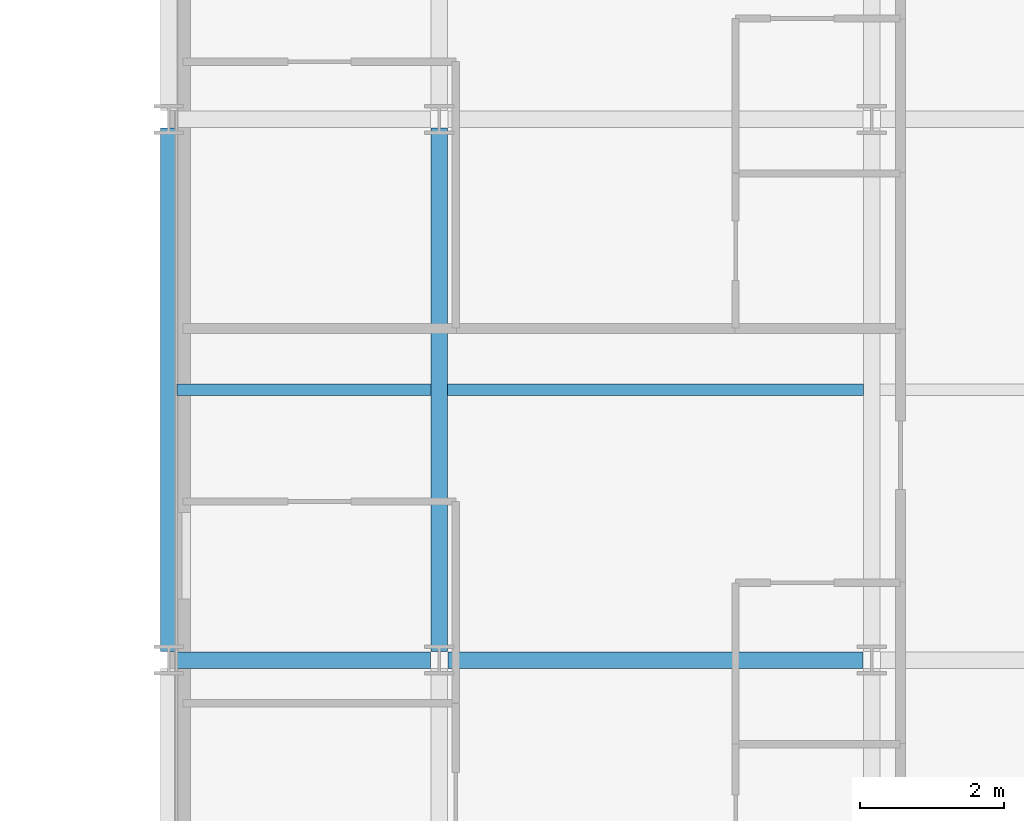
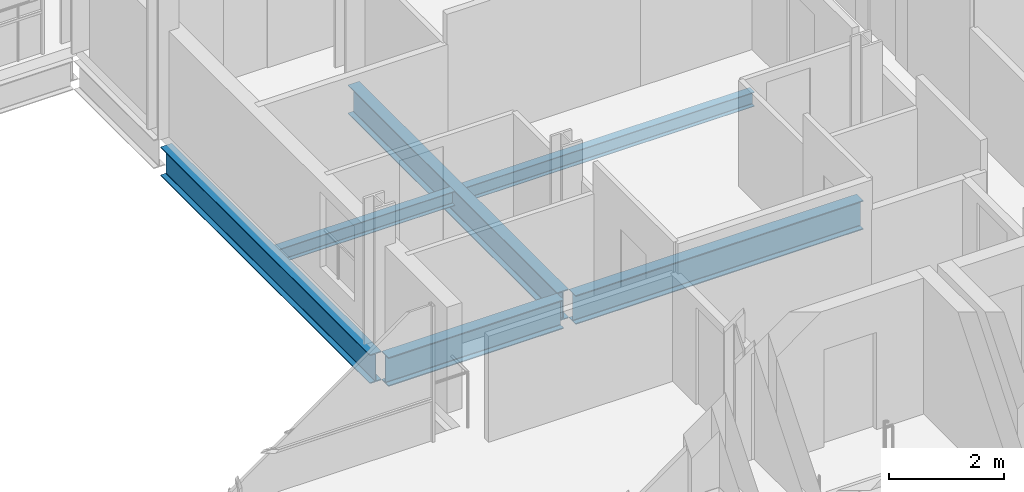
# One storey, part 16 of 40: 6 beams.
"""IFC4 building model written with IfcOpenShell, lengths in metres."""

import ifcopenshell
import ifcopenshell.guid

model = None  # the IFC model being written
_history = None  # IfcOwnerHistory: only IFC2X3 demands one
_inside = {}  # id of a spatial element -> (the spatial element, [elements in it])
_under = {}  # id of a project, library or spatial element -> (it, [spatial elements below it])
_declared = {}  # id of a project -> (the project, [libraries it declares])
_typed = {}  # id of a type object -> (the type object, [elements of that type])
_made_of = {}  # id of a material, layer set ... -> (it, [elements and type objects made of it])


def new_model(schema):
    """Start an empty IFC model of exactly this schema.

    Asked for "IFC4X3", IfcOpenShell would pick the latest addendum, in which some entities
    have other attributes; the version numbers below select the first issue.
    IFC2X3 requires an IfcOwnerHistory on every rooted entity: one is made here for all.
    """
    global model, _history
    if schema == "IFC4X3":
        model = ifcopenshell.file(schema_version=(4, 3, 0, 0))
    else:
        model = ifcopenshell.file(schema=schema)
    _inside.clear()
    _under.clear()
    _declared.clear()
    _typed.clear()
    _made_of.clear()
    _history = None
    if model.schema == "IFC2X3":
        org = make("IfcOrganization", Name="unknown")
        user = make(
            "IfcPersonAndOrganization",
            ThePerson=make("IfcPerson", FamilyName="unknown"),
            TheOrganization=org,
        )
        app = make(
            "IfcApplication",
            ApplicationDeveloper=org,
            Version="unknown",
            ApplicationFullName="unknown",
            ApplicationIdentifier="unknown",
        )
        _history = make(
            "IfcOwnerHistory",
            OwningUser=user,
            OwningApplication=app,
            ChangeAction="ADDED",
            CreationDate=0,
        )
    return model


def make(cls, **values):
    """One entity of the class cls with the attributes given. An attribute that is None is left unset."""
    return model.create_entity(
        cls, **{name: value for name, value in values.items() if value is not None}
    )


def rooted(cls, **values):
    """An entity with a GlobalId (a new one), such as an element, a storey or a relation."""
    return make(cls, GlobalId=ifcopenshell.guid.new(), OwnerHistory=_history, **values)


def si_unit(unit_type, name, prefix=None):
    """IfcSIUnit, for example si_unit("LENGTHUNIT", "METRE", prefix="MILLI")."""
    return make("IfcSIUnit", UnitType=unit_type, Prefix=prefix, Name=name)


def assignment(units):
    """IfcUnitAssignment: the units of a project."""
    return None if units is None else make("IfcUnitAssignment", Units=units)


def point(xyz):
    """IfcCartesianPoint."""
    return None if xyz is None else make("IfcCartesianPoint", Coordinates=xyz)


def direction(xyz):
    """IfcDirection."""
    return None if xyz is None else make("IfcDirection", DirectionRatios=xyz)


def frame(location, z_axis=None, x_axis=None):
    """IfcAxis2Placement3D, a coordinate frame: its origin and axes. An axis left out is left unset."""
    return make(
        "IfcAxis2Placement3D",
        Location=point(location),
        Axis=direction(z_axis),
        RefDirection=direction(x_axis),
    )


def frame_2d(location, x_axis=None):
    """IfcAxis2Placement2D, a coordinate frame in the plane: its origin and x axis."""
    return make(
        "IfcAxis2Placement2D", Location=point(location), RefDirection=direction(x_axis)
    )


def origin():
    """The frame at (0, 0, 0) with its axes left unset."""
    return frame((0.0, 0.0, 0.0))


def origin_2d():
    """The frame at (0, 0) in the plane with its x axis left unset."""
    return frame_2d((0.0, 0.0))


def place(relative_to, where):
    """IfcLocalPlacement: puts the frame where relative to a parent placement (None: the world)."""
    return make(
        "IfcLocalPlacement", PlacementRelTo=relative_to, RelativePlacement=where
    )


def context(
    kind, dimensions, precision=None, world=None, true_north=None, identifier=None
):
    """IfcGeometricRepresentationContext, for example the 3D "Model" context."""
    return make(
        "IfcGeometricRepresentationContext",
        ContextIdentifier=identifier,
        ContextType=kind,
        CoordinateSpaceDimension=dimensions,
        Precision=precision,
        WorldCoordinateSystem=world,
        TrueNorth=true_north,
    )


def subcontext(parent, identifier, kind, view, scale=None):
    """IfcGeometricRepresentationSubContext, for example "Body" below "Model"."""
    return make(
        "IfcGeometricRepresentationSubContext",
        ContextIdentifier=identifier,
        ContextType=kind,
        ParentContext=parent,
        TargetScale=scale,
        TargetView=view,
    )


def project(units=None, contexts=None):
    """IfcProject with its units and contexts."""
    return rooted(
        "IfcProject",
        Name="project",
        RepresentationContexts=contexts,
        UnitsInContext=assignment(units),
    )


def spatial(cls, under=None, at=None, **own):
    """A site, building, storey or space (cls), placed at a placement, below another one or the project."""
    s = rooted(cls, ObjectPlacement=at, **own)
    if under is not None:
        _under.setdefault(under.id(), (under, []))[1].append(s)
    return s


def profile(cls, at=None, kind="AREA", **sizes):
    """A parametric profile (cls). Its sizes go by their IFC names, for example OverallWidth=200.0."""
    return make(cls, ProfileType=kind, Position=at, **sizes)


def i_section(**sizes):
    """IfcIShapeProfileDef."""
    return profile("IfcIShapeProfileDef", **sizes)


def extrude(swept, where, along, depth):
    """IfcExtrudedAreaSolid: the profile swept, set in the frame where, extruded along a direction by depth."""
    return make(
        "IfcExtrudedAreaSolid",
        SweptArea=swept,
        Position=where,
        ExtrudedDirection=direction(along),
        Depth=depth,
    )


def shape(context_of_items, identifier, shape_type, items):
    """IfcShapeRepresentation: the items that make up one representation, for example the "Body"."""
    return make(
        "IfcShapeRepresentation",
        ContextOfItems=context_of_items,
        RepresentationIdentifier=identifier,
        RepresentationType=shape_type,
        Items=items,
    )


def material(Name=None, Category=None):
    """IfcMaterial."""
    return make("IfcMaterial", Name=Name, Category=Category)


def material_profile(
    of_material, cross_section, Name=None, Category=None, Priority=None
):
    """IfcMaterialProfile: a cross section and its material."""
    return make(
        "IfcMaterialProfile",
        Name=Name,
        Material=of_material,
        Profile=cross_section,
        Priority=Priority,
        Category=Category,
    )


def profile_set(profiles, Name=None, composite=None):
    """IfcMaterialProfileSet."""
    return make(
        "IfcMaterialProfileSet",
        Name=Name,
        MaterialProfiles=profiles,
        CompositeProfile=composite,
    )


def made_of(thing, what):
    """Note that an element or type object is made of a material, layer set ...; save() writes the relation."""
    if what is not None:
        _made_of.setdefault(what.id(), (what, []))[1].append(thing)
    return thing


def type_object(cls, material=None, **own):
    """A type object (cls), such as IfcWallType, which elements share."""
    return made_of(rooted(cls, **own), material)


def element(
    cls,
    number,
    at=None,
    inside=None,
    cuts=None,
    type_object=None,
    material=None,
    context=None,
    identifier="Body",
    shape_type=None,
    held_by="IfcProductDefinitionShape",
    body=None,
    shapes=None,
    **own,
):
    """One element of the class cls, such as IfcWall. Its Tag is "e" and its number.

    at: its placement. inside: the storey or other place that contains it. cuts: it is an
    opening in that element (IfcRelVoidsElement). A single representation is given by context,
    identifier, shape_type and body (its items); several are given by shapes. held_by: the class
    of the entity that holds the representations. save() writes the other relations.
    """
    e = rooted(cls, Tag="e%d" % number, ObjectPlacement=at, **own)
    if body is not None:
        shapes = [shape(context, identifier, shape_type, body)]
    if shapes is not None:
        e.Representation = make(held_by, Representations=shapes)
    if inside is not None:
        _inside.setdefault(inside.id(), (inside, []))[1].append(e)
    if cuts is not None:
        rooted(
            "IfcRelVoidsElement", RelatingBuildingElement=cuts, RelatedOpeningElement=e
        )
    if type_object is not None:
        _typed.setdefault(type_object.id(), (type_object, []))[1].append(e)
    return made_of(e, material)


def aggregate(whole, parts):
    """IfcRelAggregates: a whole, such as a stair, and the parts it consists of."""
    return rooted("IfcRelAggregates", RelatingObject=whole, RelatedObjects=parts)


def save(model, path):
    """Write the relations noted so far, then the file.

    IfcRelAggregates (storeys below a building ...), IfcRelContainedInSpatialStructure (elements
    in a storey), IfcRelDefinesByType, IfcRelAssociatesMaterial and IfcRelDeclares: one each for
    every whole, place, type object, material and project.
    """
    for whole, parts in _under.values():
        aggregate(whole, parts)
    for where, things in _inside.values():
        rooted(
            "IfcRelContainedInSpatialStructure",
            RelatedElements=things,
            RelatingStructure=where,
        )
    for kind, things in _typed.values():
        rooted("IfcRelDefinesByType", RelatedObjects=things, RelatingType=kind)
    for what, things in _made_of.values():
        rooted("IfcRelAssociatesMaterial", RelatedObjects=things, RelatingMaterial=what)
    for by, libraries in _declared.values():
        rooted("IfcRelDeclares", RelatingContext=by, RelatedDefinitions=libraries)
    model.write(path)


model = new_model("IFC4")

# Units and contexts
model_context = context("Model", 3, precision=1e-05, world=origin(), true_north=direction((0.0, 1.0)))
body_context = subcontext(model_context, "Body", "Model", "MODEL_VIEW")
ifc_project = project(units=[si_unit("LENGTHUNIT", "METRE"), si_unit("AREAUNIT", "SQUARE_METRE"), si_unit("VOLUMEUNIT", "CUBIC_METRE"), si_unit("PLANEANGLEUNIT", "RADIAN"), si_unit("MASSUNIT", "GRAM", prefix="KILO")], contexts=[model_context])

# Site, building, storey
site_placement = place(None, origin())
site = spatial("IfcSite", under=ifc_project, at=site_placement, CompositionType="ELEMENT")
building_placement = place(site_placement, origin())
building = spatial("IfcBuilding", under=site, at=building_placement, Name="Brevholm Reach", CompositionType="ELEMENT")
storey_placement = place(building_placement, frame((0.0, 0.0, 119.0)))
storey = spatial("IfcBuildingStorey", under=building, at=storey_placement, Name="L35", CompositionType="ELEMENT", Elevation=119.0)

# Beams
ifc_material_1 = material(Name="Structural Steel S355J2", Category="steel")
ifc_material_profile_1 = material_profile(ifc_material_1, i_section(OverallWidth=0.1650390625, OverallDepth=0.303466796875, WebThickness=0.006103515625, FlangeThickness=0.01025390625, FilletRadius=0.0087890625, at=origin_2d()), Name="UKB 305x165x40")
ifc_profile_set_1 = profile_set([ifc_material_profile_1], Name="Structural Steel S355J2")
beam_type_1 = type_object("IfcBeamType", Name="BM-B305", PredefinedType="BEAM", material=ifc_profile_set_1)
beam_1_placement = place(storey_placement, frame((38.364501953125, 19.75, -0.37158203125), z_axis=(1.0, 0.0, 0.0), x_axis=(0.0, 1.0, 0.0)))
element("IfcBeam", 1, at=beam_1_placement, inside=storey, type_object=beam_type_1, Name="L35 Composite Secondary Floor Beam", PredefinedType="BEAM", context=body_context, shape_type="SweptSolid", body=[
    extrude(i_section(OverallWidth=0.1650390625, OverallDepth=0.303466796875, WebThickness=0.006103515625, FlangeThickness=0.01025390625, FilletRadius=0.0087890625, at=origin_2d()), origin(), (0.0, 0.0, 1.0), 3.52099609375),
])
beam_2_placement = place(storey_placement, frame((42.114501953125, 19.75, -0.37158203125), z_axis=(1.0, 0.0, 0.0), x_axis=(0.0, 1.0, 0.0)))
element("IfcBeam", 2, at=beam_2_placement, inside=storey, type_object=beam_type_1, Name="L35 Composite Secondary Floor Beam", PredefinedType="BEAM", context=body_context, shape_type="SweptSolid", body=[
    extrude(i_section(OverallWidth=0.1650390625, OverallDepth=0.303466796875, WebThickness=0.006103515625, FlangeThickness=0.01025390625, FilletRadius=0.0087890625, at=origin_2d()), origin(), (0.0, 0.0, 1.0), 5.77099609375),
])
ifc_material_2 = material(Name="Structural Steel S355J2", Category="steel")
ifc_material_profile_2 = material_profile(ifc_material_2, i_section(OverallWidth=0.22900390625, OverallDepth=0.6123046875, WebThickness=0.011962890625, FlangeThickness=0.01953125, FilletRadius=0.0126953125, at=origin_2d()), Name="UKB 610x229x125")
ifc_profile_set_2 = profile_set([ifc_material_profile_2], Name="Structural Steel S355J2")
beam_type_2 = type_object("IfcBeamType", Name="BM-SP610", PredefinedType="SPANDREL", material=ifc_profile_set_2)
beam_3_placement = place(storey_placement, frame((38.3701171875, 16.0, -0.526123046875), z_axis=(1.0, 0.0, 0.0), x_axis=(0.0, 1.0, 0.0)))
element("IfcBeam", 3, at=beam_3_placement, inside=storey, type_object=beam_type_2, Name="L35 SP-01 Framing Beam", PredefinedType="SPANDREL", context=body_context, shape_type="SweptSolid", body=[
    extrude(i_section(OverallWidth=0.22900390625, OverallDepth=0.6123046875, WebThickness=0.011962890625, FlangeThickness=0.01953125, FilletRadius=0.0126953125, at=origin_2d()), origin(), (0.0, 0.0, 1.0), 3.509765625),
])
beam_4_placement = place(storey_placement, frame((42.1201171875, 16.0, -0.526123046875), z_axis=(1.0, 0.0, 0.0), x_axis=(0.0, 1.0, 0.0)))
element("IfcBeam", 4, at=beam_4_placement, inside=storey, type_object=beam_type_2, Name="L35 SP-01 Framing Beam", PredefinedType="SPANDREL", context=body_context, shape_type="SweptSolid", body=[
    extrude(i_section(OverallWidth=0.22900390625, OverallDepth=0.6123046875, WebThickness=0.011962890625, FlangeThickness=0.01953125, FilletRadius=0.0126953125, at=origin_2d()), origin(), (0.0, 0.0, 1.0), 5.759765625),
])
for number, where, z_axis, x_axis, name in (
    (5, (38.25, 16.1201171875, -0.526123046875), (0.0, 1.0, 0.0), (-1.0, 0.0, 0.0), "L35 SP-01 Framing Beam"),
    (6, (42.0, 16.1201171875, -0.526123046875), (0.0, 1.0, 0.0), (-1.0, 0.0, 0.0), "L35 SP-01 Framing Beam"),
):
    element("IfcBeam", number, at=place(storey_placement, frame(where, z_axis=z_axis, x_axis=x_axis)), inside=storey, type_object=beam_type_2, Name=name, PredefinedType="SPANDREL", context=body_context, shape_type="SweptSolid", body=[
        extrude(i_section(OverallWidth=0.22900390625, OverallDepth=0.6123046875, WebThickness=0.011962890625, FlangeThickness=0.01953125, FilletRadius=0.0126953125, at=origin_2d()), origin(), (0.0, 0.0, 1.0), 7.259765625),
    ])

save(model, "model.ifc")
